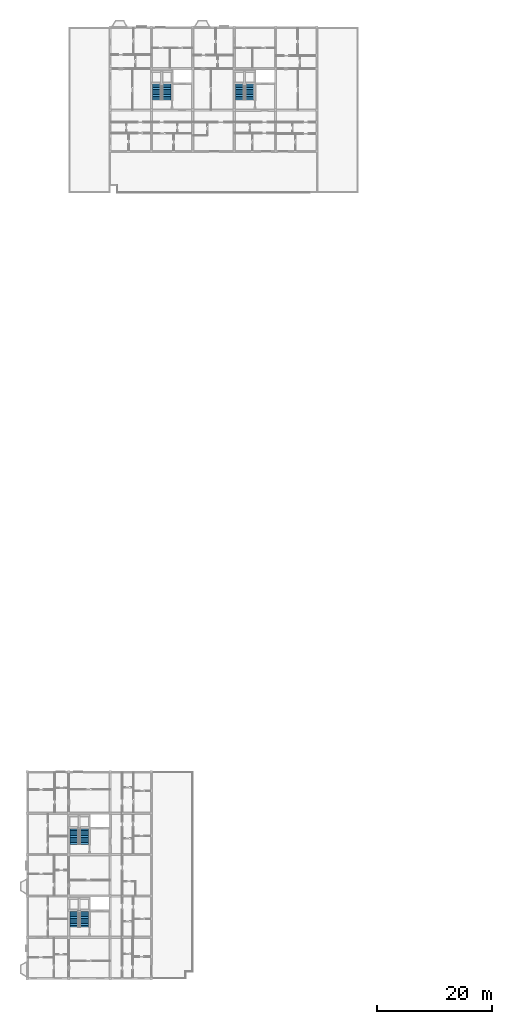
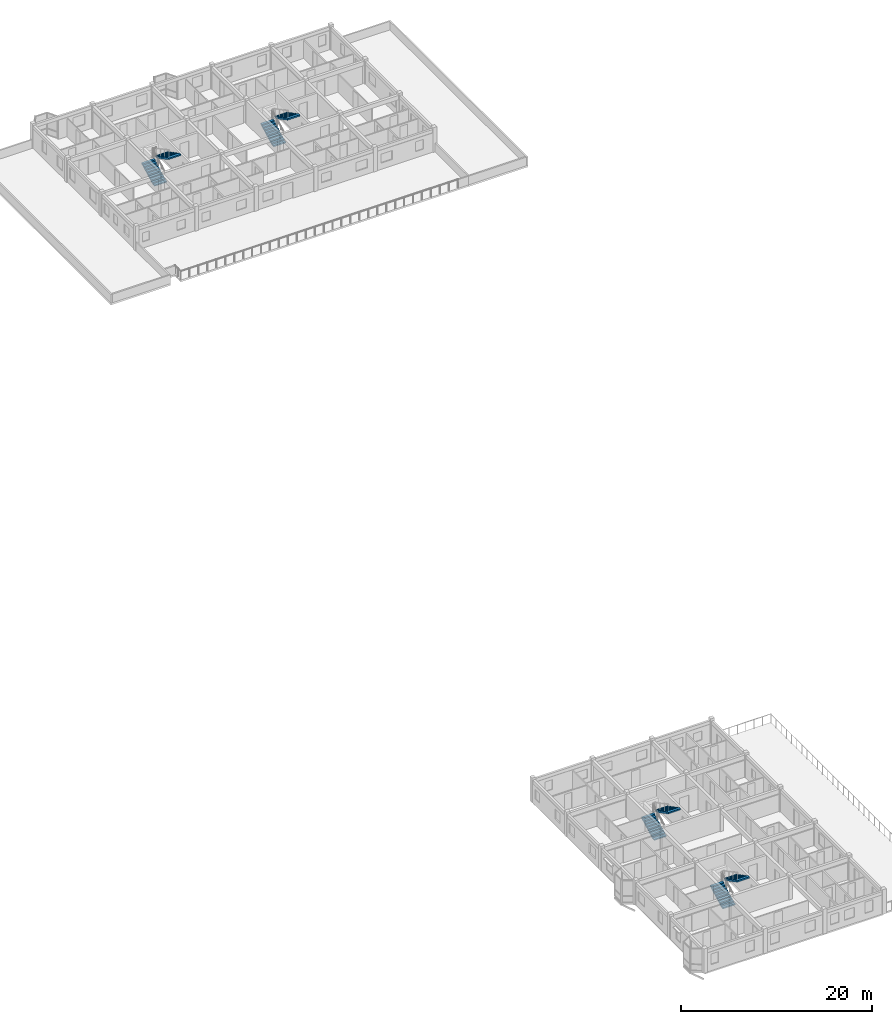
# One storey, part 37 of 40: 8 stair flights, 4 elements without a shape of their own.
"""IFC4 building model written with IfcOpenShell, lengths in metres."""

from ifc_helpers import new_model, si_unit, direction, frame, origin, place, context, subcontext, project, spatial, polyline, outline, extrude, material, type_object, element, aggregate, save


model = new_model("IFC4")

# Units and contexts
model_context = context("Model", 3, precision=1e-05, world=origin(), true_north=direction((0.0, 1.0)))
body_context = subcontext(model_context, "Body", "Model", "MODEL_VIEW")
ifc_project = project(units=[si_unit("LENGTHUNIT", "METRE"), si_unit("AREAUNIT", "SQUARE_METRE"), si_unit("VOLUMEUNIT", "CUBIC_METRE"), si_unit("PLANEANGLEUNIT", "RADIAN"), si_unit("MASSUNIT", "GRAM", prefix="KILO"), si_unit("THERMODYNAMICTEMPERATUREUNIT", "KELVIN"), si_unit("POWERUNIT", "WATT")], contexts=[model_context])

# Site, building, storey
site_placement = place(None, origin())
site = spatial("IfcSite", under=ifc_project, at=site_placement, CompositionType="ELEMENT")
building_placement = place(site_placement, origin())
building = spatial("IfcBuilding", under=site, at=building_placement, Name="Tavuni Mirador Residences", CompositionType="ELEMENT")
storey_placement = place(building_placement, frame((0.0, 0.0, 36.0)))
storey = spatial("IfcBuildingStorey", under=building, at=storey_placement, Name="L11", CompositionType="ELEMENT", Elevation=36.0)

# Stair, stair flights
ifc_material = material(Name="Precast concrete C40/50", Category="concrete")
stair_type = type_object("IfcStairType", Name="STT-TYP", PredefinedType="HALF_TURN_STAIR", material=ifc_material)
stair_1_placement = place(storey_placement, origin())
stair_1 = element("IfcStair", 1, at=stair_1_placement, inside=storey, type_object=stair_type, Name="Protected exit stair ST1 (L11)", PredefinedType="HALF_TURN_STAIR")
stair_flight_type = type_object("IfcStairFlightType", Name="SFT-1500", PredefinedType="STRAIGHT", material=ifc_material)
stair_flight_1_placement = place(storey_placement, frame((11.75, 16.199951171875, 0.0), z_axis=(0.0, 0.0, 1.0), x_axis=(0.0, 1.0, 0.0)))
stair_flight_1 = element("IfcStairFlight", 2, at=stair_flight_1_placement, type_object=stair_flight_type, Name="ST1 flight 1", NumberOfRisers=10, NumberOfTreads=9, PredefinedType="STRAIGHT", RiserHeight=0.1575, TreadLength=0.3, context=body_context, shape_type="SweptSolid", body=[
    extrude(outline(polyline([(0.0, 0.0), (0.0, 0.157470703125), (0.300048828125, 0.157470703125), (0.300048828125, 0.31494140625), (0.60009765625, 0.31494140625), (0.60009765625, 0.472412109375), (0.89990234375, 0.472412109375), (0.89990234375, 0.6298828125), (1.199951171875, 0.6298828125), (1.199951171875, 0.78759765625), (1.5, 0.78759765625), (1.5, 0.945068359375), (1.800048828125, 0.945068359375), (1.800048828125, 1.1025390625), (2.10009765625, 1.1025390625), (2.10009765625, 1.260009765625), (2.39990234375, 1.260009765625), (2.39990234375, 1.41748046875), (2.699951171875, 1.41748046875), (2.699951171875, 1.574951171875), (2.699951171875, 1.23681640625), (0.343994140625, 0.0), (0.0, 0.0)])), frame((0.0, 0.75, 0.0), z_axis=(0.0, -1.0, 0.0), x_axis=(1.0, 0.0, 0.0)), (0.0, 0.0, 1.0), 1.5),
])
stair_flight_2_placement = place(storey_placement, frame((13.449951171875, 18.89990234375, 1.574951171875), z_axis=(0.0, 0.0, 1.0), x_axis=(0.0, -1.0, 0.0)))
stair_flight_2 = element("IfcStairFlight", 3, at=stair_flight_2_placement, type_object=stair_flight_type, Name="ST1 flight 2", NumberOfRisers=10, NumberOfTreads=9, PredefinedType="STRAIGHT", RiserHeight=0.1575, TreadLength=0.3, context=body_context, shape_type="SweptSolid", body=[
    extrude(outline(polyline([(0.0, 0.0), (0.0, 0.157470703125), (0.300048828125, 0.157470703125), (0.300048828125, 0.31494140625), (0.60009765625, 0.31494140625), (0.60009765625, 0.472412109375), (0.89990234375, 0.472412109375), (0.89990234375, 0.6298828125), (1.199951171875, 0.6298828125), (1.199951171875, 0.78759765625), (1.5, 0.78759765625), (1.5, 0.945068359375), (1.800048828125, 0.945068359375), (1.800048828125, 1.1025390625), (2.10009765625, 1.1025390625), (2.10009765625, 1.260009765625), (2.39990234375, 1.260009765625), (2.39990234375, 1.41748046875), (2.699951171875, 1.41748046875), (2.699951171875, 1.574951171875), (2.699951171875, 1.23681640625), (0.343994140625, 0.0), (0.0, 0.0)])), frame((0.0, 0.75, 0.0), z_axis=(0.0, -1.0, 0.0), x_axis=(1.0, 0.0, 0.0)), (0.0, 0.0, 1.0), 1.5),
])
aggregate(stair_1, [stair_flight_1, stair_flight_2])

stair_2_placement = place(storey_placement, origin())
stair_2 = element("IfcStair", 4, at=stair_2_placement, inside=storey, type_object=stair_type, Name="Protected exit stair ST2 (L11)", PredefinedType="HALF_TURN_STAIR")
stair_flight_3_placement = place(storey_placement, frame((11.75, 30.60009765625, 0.0), z_axis=(0.0, 0.0, 1.0), x_axis=(0.0, 1.0, 0.0)))
stair_flight_3 = element("IfcStairFlight", 5, at=stair_flight_3_placement, type_object=stair_flight_type, Name="ST2 flight 1", NumberOfRisers=10, NumberOfTreads=9, PredefinedType="STRAIGHT", RiserHeight=0.1575, TreadLength=0.3, context=body_context, shape_type="SweptSolid", body=[
    extrude(outline(polyline([(0.0, 0.0), (0.0, 0.157470703125), (0.300048828125, 0.157470703125), (0.300048828125, 0.31494140625), (0.60009765625, 0.31494140625), (0.60009765625, 0.472412109375), (0.89990234375, 0.472412109375), (0.89990234375, 0.6298828125), (1.199951171875, 0.6298828125), (1.199951171875, 0.78759765625), (1.5, 0.78759765625), (1.5, 0.945068359375), (1.800048828125, 0.945068359375), (1.800048828125, 1.1025390625), (2.10009765625, 1.1025390625), (2.10009765625, 1.260009765625), (2.39990234375, 1.260009765625), (2.39990234375, 1.41748046875), (2.699951171875, 1.41748046875), (2.699951171875, 1.574951171875), (2.699951171875, 1.23681640625), (0.343994140625, 0.0), (0.0, 0.0)])), frame((0.0, 0.75, 0.0), z_axis=(0.0, -1.0, 0.0), x_axis=(1.0, 0.0, 0.0)), (0.0, 0.0, 1.0), 1.5),
])
stair_flight_4_placement = place(storey_placement, frame((13.449951171875, 33.300048828125, 1.574951171875), z_axis=(0.0, 0.0, 1.0), x_axis=(0.0, -1.0, 0.0)))
stair_flight_4 = element("IfcStairFlight", 6, at=stair_flight_4_placement, type_object=stair_flight_type, Name="ST2 flight 2", NumberOfRisers=10, NumberOfTreads=9, PredefinedType="STRAIGHT", RiserHeight=0.1575, TreadLength=0.3, context=body_context, shape_type="SweptSolid", body=[
    extrude(outline(polyline([(0.0, 0.0), (0.0, 0.157470703125), (0.300048828125, 0.157470703125), (0.300048828125, 0.31494140625), (0.60009765625, 0.31494140625), (0.60009765625, 0.472412109375), (0.89990234375, 0.472412109375), (0.89990234375, 0.6298828125), (1.199951171875, 0.6298828125), (1.199951171875, 0.78759765625), (1.5, 0.78759765625), (1.5, 0.945068359375), (1.800048828125, 0.945068359375), (1.800048828125, 1.1025390625), (2.10009765625, 1.1025390625), (2.10009765625, 1.260009765625), (2.39990234375, 1.260009765625), (2.39990234375, 1.41748046875), (2.699951171875, 1.41748046875), (2.699951171875, 1.574951171875), (2.699951171875, 1.23681640625), (0.343994140625, 0.0), (0.0, 0.0)])), frame((0.0, 0.75, 0.0), z_axis=(0.0, -1.0, 0.0), x_axis=(1.0, 0.0, 0.0)), (0.0, 0.0, 1.0), 1.5),
])
aggregate(stair_2, [stair_flight_3, stair_flight_4])

stair_3_placement = place(storey_placement, origin())
stair_3 = element("IfcStair", 7, at=stair_3_placement, inside=storey, type_object=stair_type, Name="Protected exit stair ST5 (L11)", PredefinedType="HALF_TURN_STAIR")
stair_flight_5_placement = place(storey_placement, frame((26.14990234375, 160.199951171875, 0.0), z_axis=(0.0, 0.0, 1.0), x_axis=(0.0, 1.0, 0.0)))
stair_flight_5 = element("IfcStairFlight", 8, at=stair_flight_5_placement, type_object=stair_flight_type, Name="ST5 flight 1", NumberOfRisers=10, NumberOfTreads=9, PredefinedType="STRAIGHT", RiserHeight=0.1575, TreadLength=0.3, context=body_context, shape_type="SweptSolid", body=[
    extrude(outline(polyline([(0.0, 0.0), (0.0, 0.157470703125), (0.300048828125, 0.157470703125), (0.300048828125, 0.31494140625), (0.60009765625, 0.31494140625), (0.60009765625, 0.472412109375), (0.89990234375, 0.472412109375), (0.89990234375, 0.6298828125), (1.199951171875, 0.6298828125), (1.199951171875, 0.78759765625), (1.5, 0.78759765625), (1.5, 0.945068359375), (1.800048828125, 0.945068359375), (1.800048828125, 1.1025390625), (2.10009765625, 1.1025390625), (2.10009765625, 1.260009765625), (2.39990234375, 1.260009765625), (2.39990234375, 1.41748046875), (2.699951171875, 1.41748046875), (2.699951171875, 1.574951171875), (2.699951171875, 1.23681640625), (0.343994140625, 0.0), (0.0, 0.0)])), frame((0.0, 0.75, 0.0), z_axis=(0.0, -1.0, 0.0), x_axis=(1.0, 0.0, 0.0)), (0.0, 0.0, 1.0), 1.5),
])
stair_flight_6_placement = place(storey_placement, frame((27.85009765625, 162.89990234375, 1.574951171875), z_axis=(0.0, 0.0, 1.0), x_axis=(0.0, -1.0, 0.0)))
stair_flight_6 = element("IfcStairFlight", 9, at=stair_flight_6_placement, type_object=stair_flight_type, Name="ST5 flight 2", NumberOfRisers=10, NumberOfTreads=9, PredefinedType="STRAIGHT", RiserHeight=0.1575, TreadLength=0.3, context=body_context, shape_type="SweptSolid", body=[
    extrude(outline(polyline([(0.0, 0.0), (0.0, 0.157470703125), (0.300048828125, 0.157470703125), (0.300048828125, 0.31494140625), (0.60009765625, 0.31494140625), (0.60009765625, 0.472412109375), (0.89990234375, 0.472412109375), (0.89990234375, 0.6298828125), (1.199951171875, 0.6298828125), (1.199951171875, 0.78759765625), (1.5, 0.78759765625), (1.5, 0.945068359375), (1.800048828125, 0.945068359375), (1.800048828125, 1.1025390625), (2.10009765625, 1.1025390625), (2.10009765625, 1.260009765625), (2.39990234375, 1.260009765625), (2.39990234375, 1.41748046875), (2.699951171875, 1.41748046875), (2.699951171875, 1.574951171875), (2.699951171875, 1.23681640625), (0.343994140625, 0.0), (0.0, 0.0)])), frame((0.0, 0.75, 0.0), z_axis=(0.0, -1.0, 0.0), x_axis=(1.0, 0.0, 0.0)), (0.0, 0.0, 1.0), 1.5),
])
aggregate(stair_3, [stair_flight_5, stair_flight_6])

stair_4_placement = place(storey_placement, origin())
stair_4 = element("IfcStair", 10, at=stair_4_placement, inside=storey, type_object=stair_type, Name="Protected exit stair ST6 (L11)", PredefinedType="HALF_TURN_STAIR")
stair_flight_7_placement = place(storey_placement, frame((40.550048828125, 160.199951171875, 0.0), z_axis=(0.0, 0.0, 1.0), x_axis=(0.0, 1.0, 0.0)))
stair_flight_7 = element("IfcStairFlight", 11, at=stair_flight_7_placement, type_object=stair_flight_type, Name="ST6 flight 1", NumberOfRisers=10, NumberOfTreads=9, PredefinedType="STRAIGHT", RiserHeight=0.1575, TreadLength=0.3, context=body_context, shape_type="SweptSolid", body=[
    extrude(outline(polyline([(0.0, 0.0), (0.0, 0.157470703125), (0.300048828125, 0.157470703125), (0.300048828125, 0.31494140625), (0.60009765625, 0.31494140625), (0.60009765625, 0.472412109375), (0.89990234375, 0.472412109375), (0.89990234375, 0.6298828125), (1.199951171875, 0.6298828125), (1.199951171875, 0.78759765625), (1.5, 0.78759765625), (1.5, 0.945068359375), (1.800048828125, 0.945068359375), (1.800048828125, 1.1025390625), (2.10009765625, 1.1025390625), (2.10009765625, 1.260009765625), (2.39990234375, 1.260009765625), (2.39990234375, 1.41748046875), (2.699951171875, 1.41748046875), (2.699951171875, 1.574951171875), (2.699951171875, 1.23681640625), (0.343994140625, 0.0), (0.0, 0.0)])), frame((0.0, 0.75, 0.0), z_axis=(0.0, -1.0, 0.0), x_axis=(1.0, 0.0, 0.0)), (0.0, 0.0, 1.0), 1.5),
])
stair_flight_8_placement = place(storey_placement, frame((42.25, 162.89990234375, 1.574951171875), z_axis=(0.0, 0.0, 1.0), x_axis=(0.0, -1.0, 0.0)))
stair_flight_8 = element("IfcStairFlight", 12, at=stair_flight_8_placement, type_object=stair_flight_type, Name="ST6 flight 2", NumberOfRisers=10, NumberOfTreads=9, PredefinedType="STRAIGHT", RiserHeight=0.1575, TreadLength=0.3, context=body_context, shape_type="SweptSolid", body=[
    extrude(outline(polyline([(0.0, 0.0), (0.0, 0.157470703125), (0.300048828125, 0.157470703125), (0.300048828125, 0.31494140625), (0.60009765625, 0.31494140625), (0.60009765625, 0.472412109375), (0.89990234375, 0.472412109375), (0.89990234375, 0.6298828125), (1.199951171875, 0.6298828125), (1.199951171875, 0.78759765625), (1.5, 0.78759765625), (1.5, 0.945068359375), (1.800048828125, 0.945068359375), (1.800048828125, 1.1025390625), (2.10009765625, 1.1025390625), (2.10009765625, 1.260009765625), (2.39990234375, 1.260009765625), (2.39990234375, 1.41748046875), (2.699951171875, 1.41748046875), (2.699951171875, 1.574951171875), (2.699951171875, 1.23681640625), (0.343994140625, 0.0), (0.0, 0.0)])), frame((0.0, 0.75, 0.0), z_axis=(0.0, -1.0, 0.0), x_axis=(1.0, 0.0, 0.0)), (0.0, 0.0, 1.0), 1.5),
])
aggregate(stair_4, [stair_flight_7, stair_flight_8])

save(model, "model.ifc")
